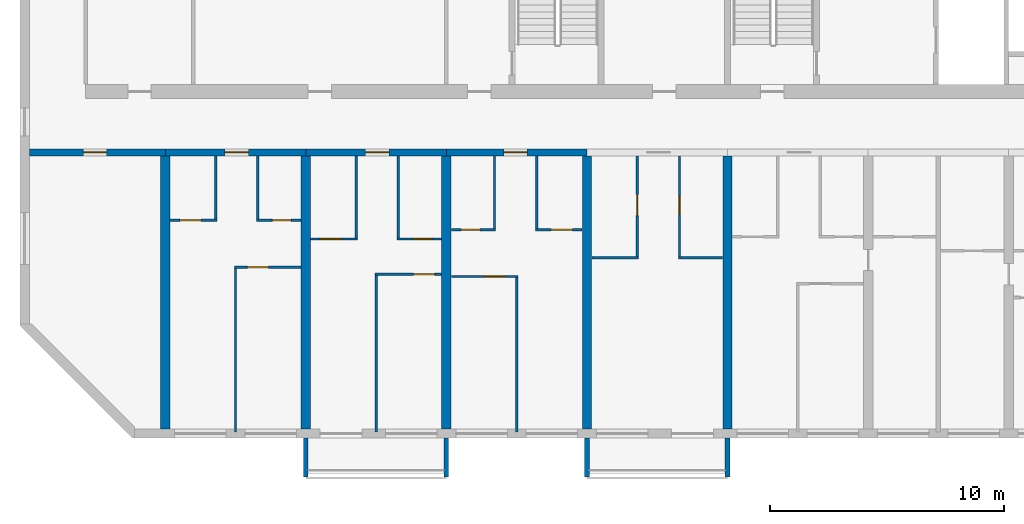
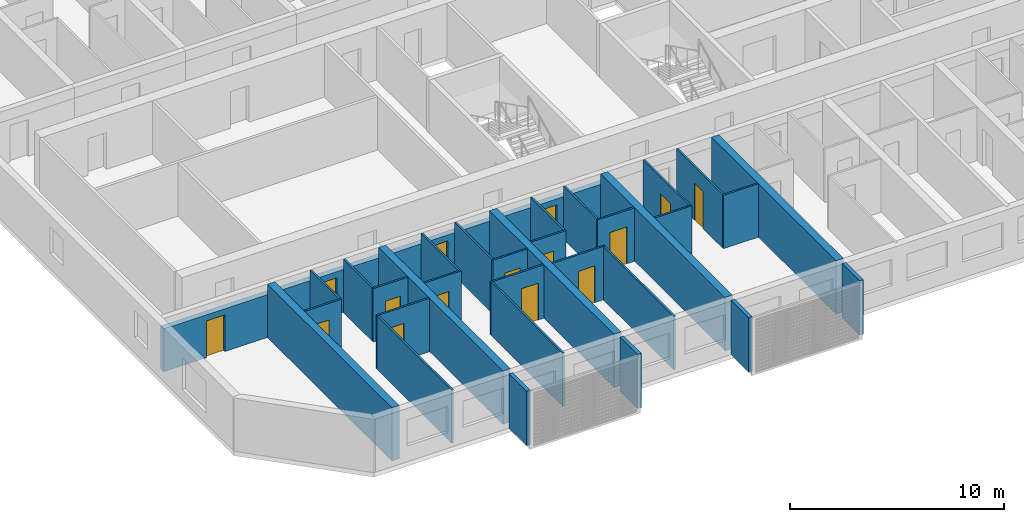
# One storey, part 2 of 40: 35 walls, 15 doors, 15 openings.
"""IFC4 building model written with IfcOpenShell, lengths in metres."""

from ifc_helpers import new_model, si_unit, direction, frame, frame_2d, origin, place, context, subcontext, project, spatial, polyline, rectangle, outline, extrude, source, transform, mapped, material, layer, layer_set, type_object, element, fill, save


model = new_model("IFC4")

# Units and contexts
model_context = context("Model", 3, precision=1e-05, world=origin(), true_north=direction((0.0, 1.0)))
body_context = subcontext(model_context, "Body", "Model", "MODEL_VIEW")
ifc_project = project(units=[si_unit("LENGTHUNIT", "METRE"), si_unit("AREAUNIT", "SQUARE_METRE"), si_unit("VOLUMEUNIT", "CUBIC_METRE"), si_unit("PLANEANGLEUNIT", "RADIAN"), si_unit("MASSUNIT", "GRAM", prefix="KILO")], contexts=[model_context])

# Site, building, storey
site_placement = place(None, origin())
site = spatial("IfcSite", under=ifc_project, at=site_placement, CompositionType="ELEMENT")
building_placement = place(site_placement, origin())
building = spatial("IfcBuilding", under=site, at=building_placement, Name="Poui Terraces", CompositionType="ELEMENT")
storey_placement = place(building_placement, frame((0.0, 0.0, 36.60009765625)))
storey = spatial("IfcBuildingStorey", under=building, at=storey_placement, Name="L09", CompositionType="ELEMENT", Elevation=36.60009765625)

# Wall, opening, door
ifc_material_1 = material(Name="Concrete 80 MPa", Category="concrete")
ifc_layer_1 = layer(ifc_material_1, 0.300048828125)
ifc_layer_set_1 = layer_set([ifc_layer_1], Name="Concrete 80 MPa")
wall_type_1 = type_object("IfcWallType", Name="CORRIDOR WALL 300 80MPa", PredefinedType="SHEAR", material=ifc_layer_set_1)
wall_1_placement = place(storey_placement, frame((0.199951171875, 12.0, 0.0), z_axis=(0.0, 0.0, 1.0), x_axis=(1.0, 0.0, 0.0)))
wall_1 = element("IfcWall", 1, at=wall_1_placement, inside=storey, type_object=wall_type_1, Name="CORRIDOR WALL LINE B BAY 1", PredefinedType="SHEAR", context=body_context, shape_type="SweptSolid", body=[
    extrude(rectangle(XDim=5.800048828125, YDim=0.300048828125, at=frame_2d((2.89990234375, 0.0))), origin(), (0.0, 0.0, 1.0), 2.449951171875),
])
opening_1_placement = place(wall_1_placement, frame((2.300048828125, 0.0, 0.0)))
opening_1 = element("IfcOpeningElement", 2, at=opening_1_placement, cuts=wall_1, Name="Opening D100", PredefinedType="OPENING", context=body_context, shape_type="SweptSolid", body=[
    extrude(rectangle(XDim=1.0, YDim=2.10009765625, at=frame_2d((0.5, 1.050048828125))), frame((0.0, 0.16015625, 0.0), z_axis=(0.0, -1.0, 0.0), x_axis=(1.0, 0.0, 0.0)), (0.0, 0.0, 1.0), 0.320068359375),
])
ifc_material_2 = material(Name="Solid core timber door", Category="wood")
door_type_1 = type_object("IfcDoorType", Name="ACCESSIBLE INTERNAL DOOR 1000 X 2100", OperationType="NOTDEFINED", PredefinedType="DOOR", material=ifc_material_2)
door_1_placement = place(opening_1_placement, frame((1.0, 0.0, 0.0), z_axis=(0.0, 0.0, 1.0), x_axis=(-1.0, 0.0, 0.0)))
door_1 = element("IfcDoor", 3, at=door_1_placement, inside=storey, type_object=door_type_1, Name="ACCESSIBLE INTERNAL DOOR 090", OperationType="SINGLE_SWING_RIGHT", OverallHeight=2.10009765625, OverallWidth=1.0, PredefinedType="DOOR", context=body_context, shape_type="SweptSolid", body=[
    extrude(rectangle(XDim=1.0, YDim=2.10009765625, at=frame_2d((0.5, 1.050048828125))), frame((0.0, 0.02490234375, 0.0), z_axis=(0.0, -1.0, 0.0), x_axis=(1.0, 0.0, 0.0)), (0.0, 0.0, 1.0), 0.050048828125),
])
fill(opening_1, door_1)

wall_2_placement = place(storey_placement, frame((6.0, 12.0, 0.0), z_axis=(0.0, 0.0, 1.0), x_axis=(1.0, 0.0, 0.0)))
wall_2 = element("IfcWall", 4, at=wall_2_placement, inside=storey, type_object=wall_type_1, Name="CORRIDOR WALL LINE B BAY 2", PredefinedType="SHEAR", context=body_context, shape_type="SweptSolid", body=[
    extrude(rectangle(XDim=6.0, YDim=0.300048828125, at=frame_2d((3.0, 0.0))), origin(), (0.0, 0.0, 1.0), 2.449951171875),
])
opening_2_placement = place(wall_2_placement, frame((2.550048828125, 0.0, 0.0)))
opening_2 = element("IfcOpeningElement", 5, at=opening_2_placement, cuts=wall_2, Name="Opening FD30S", PredefinedType="OPENING", context=body_context, shape_type="SweptSolid", body=[
    extrude(rectangle(XDim=1.0, YDim=2.10009765625, at=frame_2d((0.5, 1.050048828125))), frame((0.0, 0.16015625, 0.0), z_axis=(0.0, -1.0, 0.0), x_axis=(1.0, 0.0, 0.0)), (0.0, 0.0, 1.0), 0.320068359375),
])
ifc_material_3 = material(Name="Steel fire door", Category="steel")
door_type_2 = type_object("IfcDoorType", Name="FLAT ENTRANCE DOOR 1000 X 2100", OperationType="NOTDEFINED", PredefinedType="DOOR", material=ifc_material_3)
door_2_placement = place(opening_2_placement, frame((1.0, 0.0, 0.0), z_axis=(0.0, 0.0, 1.0), x_axis=(-1.0, 0.0, 0.0)))
door_2 = element("IfcDoor", 6, at=door_2_placement, inside=storey, type_object=door_type_2, Name="FLAT ENTRANCE DOOR 092", OperationType="SINGLE_SWING_LEFT", OverallHeight=2.10009765625, OverallWidth=1.0, PredefinedType="DOOR", context=body_context, shape_type="SweptSolid", body=[
    extrude(rectangle(XDim=1.0, YDim=2.10009765625, at=frame_2d((0.5, 1.050048828125))), frame((0.0, 0.02490234375, 0.0), z_axis=(0.0, -1.0, 0.0), x_axis=(1.0, 0.0, 0.0)), (0.0, 0.0, 1.0), 0.050048828125),
])
fill(opening_2, door_2)

wall_3_placement = place(storey_placement, frame((12.0, 12.0, 0.0), z_axis=(0.0, 0.0, 1.0), x_axis=(1.0, 0.0, 0.0)))
wall_3 = element("IfcWall", 7, at=wall_3_placement, inside=storey, type_object=wall_type_1, Name="CORRIDOR WALL LINE B BAY 3", PredefinedType="SHEAR", context=body_context, shape_type="SweptSolid", body=[
    extrude(rectangle(XDim=6.0, YDim=0.300048828125, at=frame_2d((3.0, 0.0))), origin(), (0.0, 0.0, 1.0), 2.449951171875),
])
opening_3_placement = place(wall_3_placement, frame((2.550048828125, 0.0, 0.0)))
opening_3 = element("IfcOpeningElement", 8, at=opening_3_placement, cuts=wall_3, Name="Opening FD30S", PredefinedType="OPENING", context=body_context, shape_type="SweptSolid", body=[
    extrude(rectangle(XDim=1.0, YDim=2.10009765625, at=frame_2d((0.5, 1.050048828125))), frame((0.0, 0.16015625, 0.0), z_axis=(0.0, -1.0, 0.0), x_axis=(1.0, 0.0, 0.0)), (0.0, 0.0, 1.0), 0.320068359375),
])
door_3_placement = place(opening_3_placement, frame((1.0, 0.0, 0.0), z_axis=(0.0, 0.0, 1.0), x_axis=(-1.0, 0.0, 0.0)))
door_3 = element("IfcDoor", 9, at=door_3_placement, inside=storey, type_object=door_type_2, Name="FLAT ENTRANCE DOOR 096", OperationType="SINGLE_SWING_LEFT", OverallHeight=2.10009765625, OverallWidth=1.0, PredefinedType="DOOR", context=body_context, shape_type="SweptSolid", body=[
    extrude(rectangle(XDim=1.0, YDim=2.10009765625, at=frame_2d((0.5, 1.050048828125))), frame((0.0, 0.02490234375, 0.0), z_axis=(0.0, -1.0, 0.0), x_axis=(1.0, 0.0, 0.0)), (0.0, 0.0, 1.0), 0.050048828125),
])
fill(opening_3, door_3)

wall_4_placement = place(storey_placement, frame((18.0, 12.0, 0.0), z_axis=(0.0, 0.0, 1.0), x_axis=(1.0, 0.0, 0.0)))
wall_4 = element("IfcWall", 10, at=wall_4_placement, inside=storey, type_object=wall_type_1, Name="CORRIDOR WALL LINE B BAY 4", PredefinedType="SHEAR", context=body_context, shape_type="SweptSolid", body=[
    extrude(rectangle(XDim=6.0, YDim=0.300048828125, at=frame_2d((3.0, 0.0))), origin(), (0.0, 0.0, 1.0), 2.449951171875),
])
opening_4_placement = place(wall_4_placement, frame((2.449951171875, 0.0, 0.0)))
opening_4 = element("IfcOpeningElement", 11, at=opening_4_placement, cuts=wall_4, Name="Opening FD30S", PredefinedType="OPENING", context=body_context, shape_type="SweptSolid", body=[
    extrude(rectangle(XDim=1.0, YDim=2.10009765625, at=frame_2d((0.5, 1.050048828125))), frame((0.0, 0.16015625, 0.0), z_axis=(0.0, -1.0, 0.0), x_axis=(1.0, 0.0, 0.0)), (0.0, 0.0, 1.0), 0.320068359375),
])
door_4_placement = place(opening_4_placement, frame((1.0, 0.0, 0.0), z_axis=(0.0, 0.0, 1.0), x_axis=(-1.0, 0.0, 0.0)))
door_4 = element("IfcDoor", 12, at=door_4_placement, inside=storey, type_object=door_type_2, Name="FLAT ENTRANCE DOOR 101", OperationType="SINGLE_SWING_RIGHT", OverallHeight=2.10009765625, OverallWidth=1.0, PredefinedType="DOOR", context=body_context, shape_type="SweptSolid", body=[
    extrude(rectangle(XDim=1.0, YDim=2.10009765625, at=frame_2d((0.5, 1.050048828125))), frame((0.0, 0.02490234375, 0.0), z_axis=(0.0, -1.0, 0.0), x_axis=(1.0, 0.0, 0.0)), (0.0, 0.0, 1.0), 0.050048828125),
])
fill(opening_4, door_4)

# Walls
ifc_layer_2 = layer(ifc_material_1, 0.39990234375)
ifc_layer_set_2 = layer_set([ifc_layer_2], Name="Concrete 80 MPa")
wall_type_2 = type_object("IfcWallType", Name="CROSS WALL 400 80MPa", PredefinedType="SHEAR", material=ifc_layer_set_2)
for number, where, z_axis, x_axis, name in (
    (13, (6.0, 0.199951171875, 0.0), (0.0, 0.0, 1.0), (0.0, 1.0, 0.0), "CROSS WALL LINE 2 SOUTH"),
    (14, (12.0, 0.199951171875, 0.0), (0.0, 0.0, 1.0), (0.0, 1.0, 0.0), "CROSS WALL LINE 3 SOUTH"),
    (15, (18.0, 0.199951171875, 0.0), (0.0, 0.0, 1.0), (0.0, 1.0, 0.0), "CROSS WALL LINE 4 SOUTH"),
    (16, (24.0, 0.199951171875, 0.0), (0.0, 0.0, 1.0), (0.0, 1.0, 0.0), "CROSS WALL LINE 5 SOUTH"),
    (17, (30.0, 0.199951171875, 0.0), (0.0, 0.0, 1.0), (0.0, 1.0, 0.0), "CROSS WALL LINE 6 SOUTH"),
):
    element("IfcWall", number, at=place(storey_placement, frame(where, z_axis=z_axis, x_axis=x_axis)), inside=storey, type_object=wall_type_2, Name=name, PredefinedType="SHEAR", context=body_context, shape_type="SweptSolid", body=[
        extrude(rectangle(XDim=11.650146484375, YDim=0.39990234375, at=frame_2d((5.8251953125, 0.0))), origin(), (0.0, 0.0, 1.0), 3.0498046875),
    ])

# Wall, opening, door
ifc_material_4 = material(Name="Plasterboard partition")
ifc_layer_3 = layer(ifc_material_4, 0.10009765625)
ifc_layer_set_3 = layer_set([ifc_layer_3], Name="Plasterboard partition")
wall_type_3 = type_object("IfcWallType", Name="FLAT PARTITION 100", PredefinedType="PARTITIONING", material=ifc_layer_set_3)
wall_5_placement = place(storey_placement, frame((18.2099609375, 6.699951171875, 0.0), z_axis=(0.0, 0.0, 1.0), x_axis=(1.0, 0.0, 0.0)))
wall_5 = element("IfcWall", 18, at=wall_5_placement, inside=storey, type_object=wall_type_3, Name="FLAT PARTITION 100", PredefinedType="PARTITIONING", context=body_context, shape_type="SweptSolid", body=[
    extrude(rectangle(XDim=2.840087890625, YDim=0.10009765625, at=frame_2d((1.419921875, 0.0))), origin(), (0.0, 0.0, 1.0), 3.0498046875),
])
opening_5_placement = place(wall_5_placement, frame((1.389892578125, 0.0, 0.0)))
opening_5 = element("IfcOpeningElement", 19, at=opening_5_placement, cuts=wall_5, Name="Opening D90", PredefinedType="OPENING", context=body_context, shape_type="SweptSolid", body=[
    extrude(rectangle(XDim=0.89990234375, YDim=2.10009765625, at=frame_2d((0.449951171875, 1.050048828125))), frame((0.0, 0.06005859375, 0.0), z_axis=(0.0, -1.0, 0.0), x_axis=(1.0, 0.0, 0.0)), (0.0, 0.0, 1.0), 0.1201171875),
])
door_type_3 = type_object("IfcDoorType", Name="INTERNAL DOOR 900 X 2100", OperationType="NOTDEFINED", PredefinedType="DOOR", material=ifc_material_2)
door_5_placement = place(opening_5_placement, origin())
door_5 = element("IfcDoor", 20, at=door_5_placement, inside=storey, type_object=door_type_3, Name="INTERNAL DOOR 100", OperationType="SINGLE_SWING_LEFT", OverallHeight=2.10009765625, OverallWidth=0.89990234375, PredefinedType="DOOR", context=body_context, shape_type="SweptSolid", body=[
    extrude(rectangle(XDim=0.89990234375, YDim=2.10009765625, at=frame_2d((0.449951171875, 1.050048828125))), frame((0.0, 0.02490234375, 0.0), z_axis=(0.0, -1.0, 0.0), x_axis=(1.0, 0.0, 0.0)), (0.0, 0.0, 1.0), 0.050048828125),
])
fill(opening_5, door_5)

wall_6_placement = place(storey_placement, frame((14.949951171875, 6.800048828125, 0.0), z_axis=(0.0, 0.0, 1.0), x_axis=(1.0, 0.0, 0.0)))
wall_6 = element("IfcWall", 21, at=wall_6_placement, inside=storey, type_object=wall_type_3, Name="FLAT PARTITION 100", PredefinedType="PARTITIONING", context=body_context, shape_type="SweptSolid", body=[
    extrude(rectangle(XDim=2.840087890625, YDim=0.10009765625, at=frame_2d((1.419921875, 0.0))), origin(), (0.0, 0.0, 1.0), 3.0498046875),
])
opening_6_placement = place(wall_6_placement, frame((1.64990234375, 0.0, 0.0)))
opening_6 = element("IfcOpeningElement", 22, at=opening_6_placement, cuts=wall_6, Name="Opening D90", PredefinedType="OPENING", context=body_context, shape_type="SweptSolid", body=[
    extrude(rectangle(XDim=0.89990234375, YDim=2.10009765625, at=frame_2d((0.449951171875, 1.050048828125))), frame((0.0, 0.06005859375, 0.0), z_axis=(0.0, -1.0, 0.0), x_axis=(1.0, 0.0, 0.0)), (0.0, 0.0, 1.0), 0.1201171875),
])
door_6_placement = place(opening_6_placement, origin())
door_6 = element("IfcDoor", 23, at=door_6_placement, inside=storey, type_object=door_type_3, Name="INTERNAL DOOR 098", OperationType="SINGLE_SWING_LEFT", OverallHeight=2.10009765625, OverallWidth=0.89990234375, PredefinedType="DOOR", context=body_context, shape_type="SweptSolid", body=[
    extrude(rectangle(XDim=0.89990234375, YDim=2.10009765625, at=frame_2d((0.449951171875, 1.050048828125))), frame((0.0, 0.02490234375, 0.0), z_axis=(0.0, -1.0, 0.0), x_axis=(1.0, 0.0, 0.0)), (0.0, 0.0, 1.0), 0.050048828125),
])
fill(opening_6, door_6)

wall_7_placement = place(storey_placement, frame((8.949951171875, 7.10009765625, 0.0), z_axis=(0.0, 0.0, 1.0), x_axis=(1.0, 0.0, 0.0)))
wall_7 = element("IfcWall", 24, at=wall_7_placement, inside=storey, type_object=wall_type_3, Name="FLAT PARTITION 100", PredefinedType="PARTITIONING", context=body_context, shape_type="SweptSolid", body=[
    extrude(rectangle(XDim=2.840087890625, YDim=0.10009765625, at=frame_2d((1.419921875, 0.0))), origin(), (0.0, 0.0, 1.0), 3.0498046875),
])
opening_7_placement = place(wall_7_placement, frame((0.550048828125, 0.0, 0.0)))
opening_7 = element("IfcOpeningElement", 25, at=opening_7_placement, cuts=wall_7, Name="Opening D90", PredefinedType="OPENING", context=body_context, shape_type="SweptSolid", body=[
    extrude(rectangle(XDim=0.89990234375, YDim=2.10009765625, at=frame_2d((0.449951171875, 1.050048828125))), frame((0.0, 0.06005859375, 0.0), z_axis=(0.0, -1.0, 0.0), x_axis=(1.0, 0.0, 0.0)), (0.0, 0.0, 1.0), 0.1201171875),
])
door_7_placement = place(opening_7_placement, origin())
door_7 = element("IfcDoor", 26, at=door_7_placement, inside=storey, type_object=door_type_3, Name="INTERNAL DOOR 093", OperationType="SINGLE_SWING_RIGHT", OverallHeight=2.10009765625, OverallWidth=0.89990234375, PredefinedType="DOOR", context=body_context, shape_type="SweptSolid", body=[
    extrude(rectangle(XDim=0.89990234375, YDim=2.10009765625, at=frame_2d((0.449951171875, 1.050048828125))), frame((0.0, 0.02490234375, 0.0), z_axis=(0.0, -1.0, 0.0), x_axis=(1.0, 0.0, 0.0)), (0.0, 0.0, 1.0), 0.050048828125),
])
fill(opening_7, door_7)

# Walls
wall_8_placement = place(storey_placement, frame((24.2099609375, 7.5, 0.0), z_axis=(0.0, 0.0, 1.0), x_axis=(1.0, 0.0, 0.0)))
element("IfcWall", 27, at=wall_8_placement, inside=storey, type_object=wall_type_3, Name="FLAT PARTITION 100", PredefinedType="PARTITIONING", context=body_context, shape_type="SweptSolid", body=[
    extrude(rectangle(XDim=1.989990234375, YDim=0.10009765625, at=frame_2d((0.9951171875, 0.0))), origin(), (0.0, 0.0, 1.0), 3.0498046875),
])
wall_9_placement = place(storey_placement, frame((27.89990234375, 7.5, 0.0), z_axis=(0.0, 0.0, 1.0), x_axis=(1.0, 0.0, 0.0)))
element("IfcWall", 28, at=wall_9_placement, inside=storey, type_object=wall_type_3, Name="FLAT PARTITION 100", PredefinedType="PARTITIONING", context=body_context, shape_type="SweptSolid", body=[
    extrude(rectangle(XDim=1.89013671875, YDim=0.10009765625, at=frame_2d((0.945068359375, 0.0))), origin(), (0.0, 0.0, 1.0), 3.0498046875),
])

# Wall, opening, door
wall_10_placement = place(storey_placement, frame((12.2099609375, 8.300048828125, 0.0), z_axis=(0.0, 0.0, 1.0), x_axis=(1.0, 0.0, 0.0)))
wall_10 = element("IfcWall", 29, at=wall_10_placement, inside=storey, type_object=wall_type_3, Name="FLAT PARTITION 100", PredefinedType="PARTITIONING", context=body_context, shape_type="SweptSolid", body=[
    extrude(rectangle(XDim=1.989990234375, YDim=0.10009765625, at=frame_2d((0.9951171875, 0.0))), origin(), (0.0, 0.0, 1.0), 3.0498046875),
])
opening_8_placement = place(wall_10_placement, frame((0.4150390625, 0.0, 0.0)))
opening_8 = element("IfcOpeningElement", 30, at=opening_8_placement, cuts=wall_10, Name="Opening D90", PredefinedType="OPENING", context=body_context, shape_type="SweptSolid", body=[
    extrude(rectangle(XDim=0.89990234375, YDim=2.10009765625, at=frame_2d((0.449951171875, 1.050048828125))), frame((0.0, 0.06005859375, 0.0), z_axis=(0.0, -1.0, 0.0), x_axis=(1.0, 0.0, 0.0)), (0.0, 0.0, 1.0), 0.1201171875),
])
door_8_placement = place(opening_8_placement, origin())
door_8 = element("IfcDoor", 31, at=door_8_placement, inside=storey, type_object=door_type_3, Name="INTERNAL DOOR 095", OperationType="SINGLE_SWING_LEFT", OverallHeight=2.10009765625, OverallWidth=0.89990234375, PredefinedType="DOOR", context=body_context, shape_type="SweptSolid", body=[
    extrude(rectangle(XDim=0.89990234375, YDim=2.10009765625, at=frame_2d((0.449951171875, 1.050048828125))), frame((0.0, 0.02490234375, 0.0), z_axis=(0.0, -1.0, 0.0), x_axis=(1.0, 0.0, 0.0)), (0.0, 0.0, 1.0), 0.050048828125),
])
fill(opening_8, door_8)

wall_11_placement = place(storey_placement, frame((15.89990234375, 8.300048828125, 0.0), z_axis=(0.0, 0.0, 1.0), x_axis=(1.0, 0.0, 0.0)))
wall_11 = element("IfcWall", 32, at=wall_11_placement, inside=storey, type_object=wall_type_3, Name="FLAT PARTITION 100", PredefinedType="PARTITIONING", context=body_context, shape_type="SweptSolid", body=[
    extrude(rectangle(XDim=1.89013671875, YDim=0.10009765625, at=frame_2d((0.945068359375, 0.0))), origin(), (0.0, 0.0, 1.0), 3.0498046875),
])
opening_9_placement = place(wall_11_placement, frame((0.675048828125, 0.0, 0.0)))
opening_9 = element("IfcOpeningElement", 33, at=opening_9_placement, cuts=wall_11, Name="Opening D80", PredefinedType="OPENING", context=body_context, shape_type="SweptSolid", body=[
    extrude(rectangle(XDim=0.800048828125, YDim=2.10009765625, at=frame_2d((0.39990234375, 1.050048828125))), frame((0.0, 0.06005859375, 0.0), z_axis=(0.0, -1.0, 0.0), x_axis=(1.0, 0.0, 0.0)), (0.0, 0.0, 1.0), 0.1201171875),
])
door_type_4 = type_object("IfcDoorType", Name="BATHROOM, LAUNDRY AND STORE DOOR 800 X 2100", OperationType="NOTDEFINED", PredefinedType="DOOR", material=ifc_material_2)
door_9_placement = place(opening_9_placement, origin())
door_9 = element("IfcDoor", 34, at=door_9_placement, inside=storey, type_object=door_type_4, Name="BATHROOM, LAUNDRY AND STORE DOOR 097", OperationType="SINGLE_SWING_RIGHT", OverallHeight=2.10009765625, OverallWidth=0.800048828125, PredefinedType="DOOR", context=body_context, shape_type="SweptSolid", body=[
    extrude(rectangle(XDim=0.800048828125, YDim=2.10009765625, at=frame_2d((0.39990234375, 1.050048828125))), frame((0.0, 0.02490234375, 0.0), z_axis=(0.0, -1.0, 0.0), x_axis=(1.0, 0.0, 0.0)), (0.0, 0.0, 1.0), 0.050048828125),
])
fill(opening_9, door_9)

wall_12_placement = place(storey_placement, frame((18.2099609375, 8.699951171875, 0.0), z_axis=(0.0, 0.0, 1.0), x_axis=(1.0, 0.0, 0.0)))
wall_12 = element("IfcWall", 35, at=wall_12_placement, inside=storey, type_object=wall_type_3, Name="FLAT PARTITION 100", PredefinedType="PARTITIONING", context=body_context, shape_type="SweptSolid", body=[
    extrude(rectangle(XDim=1.89013671875, YDim=0.10009765625, at=frame_2d((0.945068359375, 0.0))), origin(), (0.0, 0.0, 1.0), 3.0498046875),
])
opening_10_placement = place(wall_12_placement, frame((0.4150390625, 0.0, 0.0)))
opening_10 = element("IfcOpeningElement", 36, at=opening_10_placement, cuts=wall_12, Name="Opening D80", PredefinedType="OPENING", context=body_context, shape_type="SweptSolid", body=[
    extrude(rectangle(XDim=0.800048828125, YDim=2.10009765625, at=frame_2d((0.39990234375, 1.050048828125))), frame((0.0, 0.06005859375, 0.0), z_axis=(0.0, -1.0, 0.0), x_axis=(1.0, 0.0, 0.0)), (0.0, 0.0, 1.0), 0.1201171875),
])
door_10_placement = place(opening_10_placement, origin())
door_10 = element("IfcDoor", 37, at=door_10_placement, inside=storey, type_object=door_type_4, Name="BATHROOM, LAUNDRY AND STORE DOOR 099", OperationType="SINGLE_SWING_RIGHT", OverallHeight=2.10009765625, OverallWidth=0.800048828125, PredefinedType="DOOR", context=body_context, shape_type="SweptSolid", body=[
    extrude(rectangle(XDim=0.800048828125, YDim=2.10009765625, at=frame_2d((0.39990234375, 1.050048828125))), frame((0.0, 0.02490234375, 0.0), z_axis=(0.0, -1.0, 0.0), x_axis=(1.0, 0.0, 0.0)), (0.0, 0.0, 1.0), 0.050048828125),
])
fill(opening_10, door_10)

wall_13_placement = place(storey_placement, frame((21.800048828125, 8.699951171875, 0.0), z_axis=(0.0, 0.0, 1.0), x_axis=(1.0, 0.0, 0.0)))
wall_13 = element("IfcWall", 38, at=wall_13_placement, inside=storey, type_object=wall_type_3, Name="FLAT PARTITION 100", PredefinedType="PARTITIONING", context=body_context, shape_type="SweptSolid", body=[
    extrude(rectangle(XDim=1.989990234375, YDim=0.10009765625, at=frame_2d((0.9951171875, 0.0))), origin(), (0.0, 0.0, 1.0), 3.0498046875),
])
opening_11_placement = place(wall_13_placement, frame((0.675048828125, 0.0, 0.0)))
opening_11 = element("IfcOpeningElement", 39, at=opening_11_placement, cuts=wall_13, Name="Opening D90", PredefinedType="OPENING", context=body_context, shape_type="SweptSolid", body=[
    extrude(rectangle(XDim=0.89990234375, YDim=2.10009765625, at=frame_2d((0.449951171875, 1.050048828125))), frame((0.0, 0.06005859375, 0.0), z_axis=(0.0, -1.0, 0.0), x_axis=(1.0, 0.0, 0.0)), (0.0, 0.0, 1.0), 0.1201171875),
])
door_11_placement = place(opening_11_placement, origin())
door_11 = element("IfcDoor", 40, at=door_11_placement, inside=storey, type_object=door_type_3, Name="INTERNAL DOOR 102", OperationType="SINGLE_SWING_LEFT", OverallHeight=2.10009765625, OverallWidth=0.89990234375, PredefinedType="DOOR", context=body_context, shape_type="SweptSolid", body=[
    extrude(rectangle(XDim=0.89990234375, YDim=2.10009765625, at=frame_2d((0.449951171875, 1.050048828125))), frame((0.0, 0.02490234375, 0.0), z_axis=(0.0, -1.0, 0.0), x_axis=(1.0, 0.0, 0.0)), (0.0, 0.0, 1.0), 0.050048828125),
])
fill(opening_11, door_11)

wall_14_placement = place(storey_placement, frame((6.2099609375, 9.10009765625, 0.0), z_axis=(0.0, 0.0, 1.0), x_axis=(1.0, 0.0, 0.0)))
wall_14 = element("IfcWall", 41, at=wall_14_placement, inside=storey, type_object=wall_type_3, Name="FLAT PARTITION 100", PredefinedType="PARTITIONING", context=body_context, shape_type="SweptSolid", body=[
    extrude(rectangle(XDim=1.989990234375, YDim=0.10009765625, at=frame_2d((0.9951171875, 0.0))), origin(), (0.0, 0.0, 1.0), 3.0498046875),
])
opening_12_placement = place(wall_14_placement, frame((0.4150390625, 0.0, 0.0)))
opening_12 = element("IfcOpeningElement", 42, at=opening_12_placement, cuts=wall_14, Name="Opening D90", PredefinedType="OPENING", context=body_context, shape_type="SweptSolid", body=[
    extrude(rectangle(XDim=0.89990234375, YDim=2.10009765625, at=frame_2d((0.449951171875, 1.050048828125))), frame((0.0, 0.06005859375, 0.0), z_axis=(0.0, -1.0, 0.0), x_axis=(1.0, 0.0, 0.0)), (0.0, 0.0, 1.0), 0.1201171875),
])
door_12_placement = place(opening_12_placement, origin())
door_12 = element("IfcDoor", 43, at=door_12_placement, inside=storey, type_object=door_type_3, Name="INTERNAL DOOR 091", OperationType="SINGLE_SWING_RIGHT", OverallHeight=2.10009765625, OverallWidth=0.89990234375, PredefinedType="DOOR", context=body_context, shape_type="SweptSolid", body=[
    extrude(rectangle(XDim=0.89990234375, YDim=2.10009765625, at=frame_2d((0.449951171875, 1.050048828125))), frame((0.0, 0.02490234375, 0.0), z_axis=(0.0, -1.0, 0.0), x_axis=(1.0, 0.0, 0.0)), (0.0, 0.0, 1.0), 0.050048828125),
])
fill(opening_12, door_12)

wall_15_placement = place(storey_placement, frame((9.89990234375, 9.10009765625, 0.0), z_axis=(0.0, 0.0, 1.0), x_axis=(1.0, 0.0, 0.0)))
wall_15 = element("IfcWall", 44, at=wall_15_placement, inside=storey, type_object=wall_type_3, Name="FLAT PARTITION 100", PredefinedType="PARTITIONING", context=body_context, shape_type="SweptSolid", body=[
    extrude(rectangle(XDim=1.89013671875, YDim=0.10009765625, at=frame_2d((0.945068359375, 0.0))), origin(), (0.0, 0.0, 1.0), 3.0498046875),
])
opening_13_placement = place(wall_15_placement, frame((0.675048828125, 0.0, 0.0)))
opening_13 = element("IfcOpeningElement", 45, at=opening_13_placement, cuts=wall_15, Name="Opening D80", PredefinedType="OPENING", context=body_context, shape_type="SweptSolid", body=[
    extrude(rectangle(XDim=0.800048828125, YDim=2.10009765625, at=frame_2d((0.39990234375, 1.050048828125))), frame((0.0, 0.06005859375, 0.0), z_axis=(0.0, -1.0, 0.0), x_axis=(1.0, 0.0, 0.0)), (0.0, 0.0, 1.0), 0.1201171875),
])
door_13_placement = place(opening_13_placement, origin())
door_13 = element("IfcDoor", 46, at=door_13_placement, inside=storey, type_object=door_type_4, Name="BATHROOM, LAUNDRY AND STORE DOOR 094", OperationType="SINGLE_SWING_LEFT", OverallHeight=2.10009765625, OverallWidth=0.800048828125, PredefinedType="DOOR", context=body_context, shape_type="SweptSolid", body=[
    extrude(rectangle(XDim=0.800048828125, YDim=2.10009765625, at=frame_2d((0.39990234375, 1.050048828125))), frame((0.0, 0.02490234375, 0.0), z_axis=(0.0, -1.0, 0.0), x_axis=(1.0, 0.0, 0.0)), (0.0, 0.0, 1.0), 0.050048828125),
])
fill(opening_13, door_13)

# Walls
wall_16_placement = place(storey_placement, frame((8.14990234375, 9.14990234375, 0.0), z_axis=(0.0, 0.0, 1.0), x_axis=(0.0, 1.0, 0.0)))
element("IfcWall", 47, at=wall_16_placement, inside=storey, type_object=wall_type_3, Name="FLAT PARTITION 100", PredefinedType="PARTITIONING", context=body_context, shape_type="SweptSolid", body=[
    extrude(rectangle(XDim=2.690185546875, YDim=0.10009765625, at=frame_2d((1.34521484375, 0.0))), origin(), (0.0, 0.0, 1.0), 3.0498046875),
])
wall_17_placement = place(storey_placement, frame((9.0, 0.06005859375, 0.0), z_axis=(0.0, 0.0, 1.0), x_axis=(0.0, 1.0, 0.0)))
element("IfcWall", 48, at=wall_17_placement, inside=storey, type_object=wall_type_3, Name="FLAT PARTITION 100", PredefinedType="PARTITIONING", context=body_context, shape_type="SweptSolid", body=[
    extrude(rectangle(XDim=6.989990234375, YDim=0.10009765625, at=frame_2d((3.4951171875, 0.0))), origin(), (0.0, 0.0, 1.0), 3.0498046875),
])
wall_18_placement = place(storey_placement, frame((9.949951171875, 9.14990234375, 0.0), z_axis=(0.0, 0.0, 1.0), x_axis=(0.0, 1.0, 0.0)))
element("IfcWall", 49, at=wall_18_placement, inside=storey, type_object=wall_type_3, Name="FLAT PARTITION 100", PredefinedType="PARTITIONING", context=body_context, shape_type="SweptSolid", body=[
    extrude(rectangle(XDim=2.690185546875, YDim=0.10009765625, at=frame_2d((1.34521484375, 0.0))), origin(), (0.0, 0.0, 1.0), 3.0498046875),
])
wall_19_placement = place(storey_placement, frame((14.14990234375, 8.35009765625, 0.0), z_axis=(0.0, 0.0, 1.0), x_axis=(0.0, 1.0, 0.0)))
element("IfcWall", 50, at=wall_19_placement, inside=storey, type_object=wall_type_3, Name="FLAT PARTITION 100", PredefinedType="PARTITIONING", context=body_context, shape_type="SweptSolid", body=[
    extrude(rectangle(XDim=3.489990234375, YDim=0.10009765625, at=frame_2d((1.7451171875, 0.0))), origin(), (0.0, 0.0, 1.0), 3.0498046875),
])
wall_20_placement = place(storey_placement, frame((15.0, 0.06005859375, 0.0), z_axis=(0.0, 0.0, 1.0), x_axis=(0.0, 1.0, 0.0)))
element("IfcWall", 51, at=wall_20_placement, inside=storey, type_object=wall_type_3, Name="FLAT PARTITION 100", PredefinedType="PARTITIONING", context=body_context, shape_type="SweptSolid", body=[
    extrude(rectangle(XDim=6.68994140625, YDim=0.10009765625, at=frame_2d((3.344970703125, 0.0))), origin(), (0.0, 0.0, 1.0), 3.0498046875),
])
wall_21_placement = place(storey_placement, frame((15.949951171875, 8.35009765625, 0.0), z_axis=(0.0, 0.0, 1.0), x_axis=(0.0, 1.0, 0.0)))
element("IfcWall", 52, at=wall_21_placement, inside=storey, type_object=wall_type_3, Name="FLAT PARTITION 100", PredefinedType="PARTITIONING", context=body_context, shape_type="SweptSolid", body=[
    extrude(rectangle(XDim=3.489990234375, YDim=0.10009765625, at=frame_2d((1.7451171875, 0.0))), origin(), (0.0, 0.0, 1.0), 3.0498046875),
])
wall_22_placement = place(storey_placement, frame((20.050048828125, 8.75, 0.0), z_axis=(0.0, 0.0, 1.0), x_axis=(0.0, 1.0, 0.0)))
element("IfcWall", 53, at=wall_22_placement, inside=storey, type_object=wall_type_3, Name="FLAT PARTITION 100", PredefinedType="PARTITIONING", context=body_context, shape_type="SweptSolid", body=[
    extrude(rectangle(XDim=3.090087890625, YDim=0.10009765625, at=frame_2d((1.544921875, 0.0))), origin(), (0.0, 0.0, 1.0), 3.0498046875),
])
wall_23_placement = place(storey_placement, frame((21.0, 0.06005859375, 0.0), z_axis=(0.0, 0.0, 1.0), x_axis=(0.0, 1.0, 0.0)))
element("IfcWall", 54, at=wall_23_placement, inside=storey, type_object=wall_type_3, Name="FLAT PARTITION 100", PredefinedType="PARTITIONING", context=body_context, shape_type="SweptSolid", body=[
    extrude(rectangle(XDim=6.58984375, YDim=0.10009765625, at=frame_2d((3.294921875, 0.0))), origin(), (0.0, 0.0, 1.0), 3.0498046875),
])
wall_24_placement = place(storey_placement, frame((21.85009765625, 8.75, 0.0), z_axis=(0.0, 0.0, 1.0), x_axis=(0.0, 1.0, 0.0)))
element("IfcWall", 55, at=wall_24_placement, inside=storey, type_object=wall_type_3, Name="FLAT PARTITION 100", PredefinedType="PARTITIONING", context=body_context, shape_type="SweptSolid", body=[
    extrude(rectangle(XDim=3.090087890625, YDim=0.10009765625, at=frame_2d((1.544921875, 0.0))), origin(), (0.0, 0.0, 1.0), 3.0498046875),
])

# Wall, opening, door
wall_25_placement = place(storey_placement, frame((26.14990234375, 7.550048828125, 0.0), z_axis=(0.0, 0.0, 1.0), x_axis=(0.0, 1.0, 0.0)))
wall_25 = element("IfcWall", 56, at=wall_25_placement, inside=storey, type_object=wall_type_3, Name="FLAT PARTITION 100", PredefinedType="PARTITIONING", context=body_context, shape_type="SweptSolid", body=[
    extrude(rectangle(XDim=4.2900390625, YDim=0.10009765625, at=frame_2d((2.14501953125, 0.0))), origin(), (0.0, 0.0, 1.0), 3.0498046875),
])
opening_14_placement = place(wall_25_placement, frame((1.75, 0.0, 0.0)))
opening_14 = element("IfcOpeningElement", 57, at=opening_14_placement, cuts=wall_25, Name="Opening D90", PredefinedType="OPENING", context=body_context, shape_type="SweptSolid", body=[
    extrude(rectangle(XDim=0.89990234375, YDim=2.10009765625, at=frame_2d((0.449951171875, 1.050048828125))), frame((0.0, 0.06005859375, 0.0), z_axis=(0.0, -1.0, 0.0), x_axis=(1.0, 0.0, 0.0)), (0.0, 0.0, 1.0), 0.1201171875),
])
door_14_placement = place(opening_14_placement, origin())
door_14 = element("IfcDoor", 58, at=door_14_placement, inside=storey, type_object=door_type_3, Name="INTERNAL DOOR 103", OperationType="SINGLE_SWING_RIGHT", OverallHeight=2.10009765625, OverallWidth=0.89990234375, PredefinedType="DOOR", context=body_context, shape_type="SweptSolid", body=[
    extrude(rectangle(XDim=0.89990234375, YDim=2.10009765625, at=frame_2d((0.449951171875, 1.050048828125))), frame((0.0, 0.02490234375, 0.0), z_axis=(0.0, -1.0, 0.0), x_axis=(1.0, 0.0, 0.0)), (0.0, 0.0, 1.0), 0.050048828125),
])
fill(opening_14, door_14)

wall_26_placement = place(storey_placement, frame((27.949951171875, 7.550048828125, 0.0), z_axis=(0.0, 0.0, 1.0), x_axis=(0.0, 1.0, 0.0)))
wall_26 = element("IfcWall", 59, at=wall_26_placement, inside=storey, type_object=wall_type_3, Name="FLAT PARTITION 100", PredefinedType="PARTITIONING", context=body_context, shape_type="SweptSolid", body=[
    extrude(rectangle(XDim=4.2900390625, YDim=0.10009765625, at=frame_2d((2.14501953125, 0.0))), origin(), (0.0, 0.0, 1.0), 3.0498046875),
])
opening_15_placement = place(wall_26_placement, frame((1.800048828125, 0.0, 0.0)))
opening_15 = element("IfcOpeningElement", 60, at=opening_15_placement, cuts=wall_26, Name="Opening D80", PredefinedType="OPENING", context=body_context, shape_type="SweptSolid", body=[
    extrude(rectangle(XDim=0.800048828125, YDim=2.10009765625, at=frame_2d((0.39990234375, 1.050048828125))), frame((0.0, 0.06005859375, 0.0), z_axis=(0.0, -1.0, 0.0), x_axis=(1.0, 0.0, 0.0)), (0.0, 0.0, 1.0), 0.1201171875),
])
door_15_placement = place(opening_15_placement, frame((0.800048828125, 0.0, 0.0), z_axis=(0.0, 0.0, 1.0), x_axis=(-1.0, 0.0, 0.0)))
door_15 = element("IfcDoor", 61, at=door_15_placement, inside=storey, type_object=door_type_4, Name="BATHROOM, LAUNDRY AND STORE DOOR 105", OperationType="SINGLE_SWING_RIGHT", OverallHeight=2.10009765625, OverallWidth=0.800048828125, PredefinedType="DOOR", context=body_context, shape_type="SweptSolid", body=[
    extrude(rectangle(XDim=0.800048828125, YDim=2.10009765625, at=frame_2d((0.39990234375, 1.050048828125))), frame((0.0, 0.02490234375, 0.0), z_axis=(0.0, -1.0, 0.0), x_axis=(1.0, 0.0, 0.0)), (0.0, 0.0, 1.0), 0.050048828125),
])
fill(opening_15, door_15)

# Walls
ifc_material_5 = material(Name="Precast concrete 40 MPa", Category="concrete")
ifc_layer_4 = layer(ifc_material_5, 0.199951171875)
ifc_layer_set_4 = layer_set([ifc_layer_4], Name="Precast concrete 40 MPa")
wall_type_4 = type_object("IfcWallType", Name="REAR FIN 200", PredefinedType="STANDARD", material=ifc_layer_set_4)
shared_shape = source(origin(), body_context, "Body", "SweptSolid", [
    extrude(outline(polyline([(0.0, 0.0), (0.2001953125, 0.0), (0.2001953125, 1.650146484375), (0.0, 1.650146484375), (0.0, 0.0)])), origin(), (0.0, 0.0, 1.0), 3.099853515625),
])
for number, where, name in (
    (62, (11.89990234375, -1.85009765625, 0.0), "REAR FIN"),
    (63, (17.89990234375, -1.85009765625, 0.0), "REAR FIN"),
    (64, (23.89990234375, -1.85009765625, 0.0), "REAR FIN"),
    (65, (29.89990234375, -1.85009765625, 0.0), "REAR FIN"),
):
    element("IfcWall", number, at=place(storey_placement, frame(where)), inside=storey, type_object=wall_type_4, Name=name, PredefinedType="STANDARD", context=body_context, shape_type="MappedRepresentation", body=[
        mapped(shared_shape, transform((0.0, 0.0, 0.0))),
    ])

save(model, "model.ifc")
